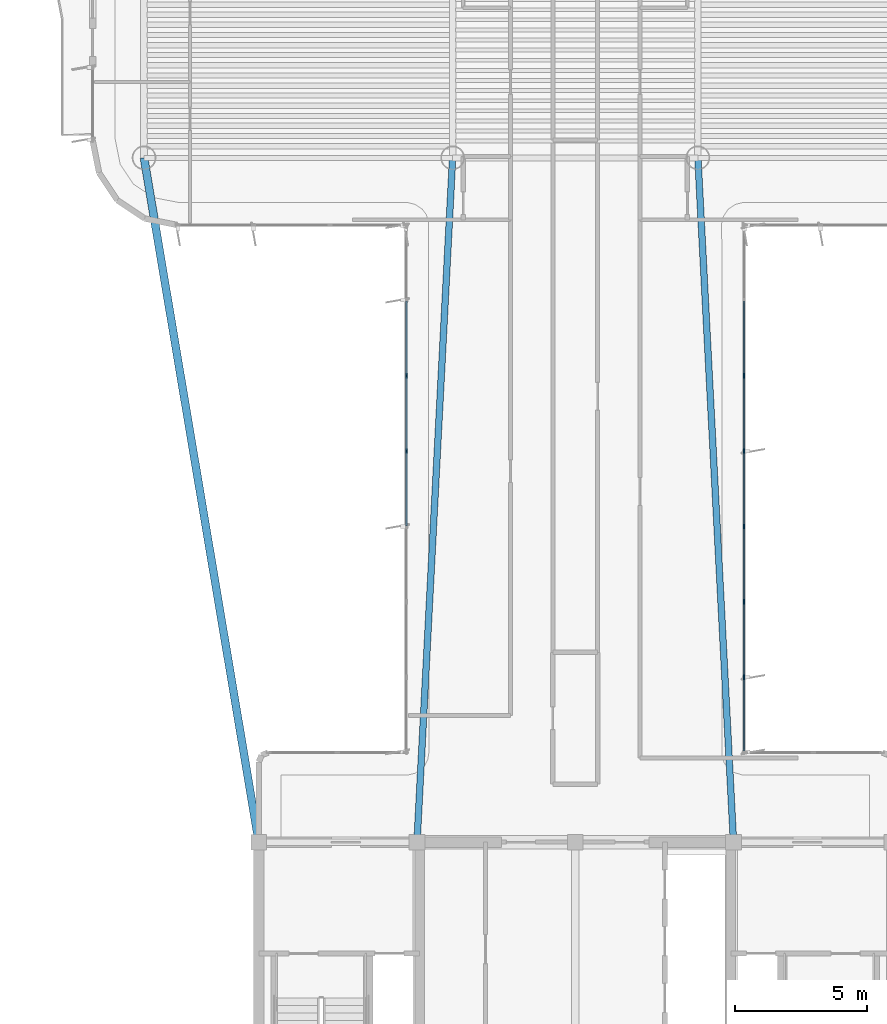
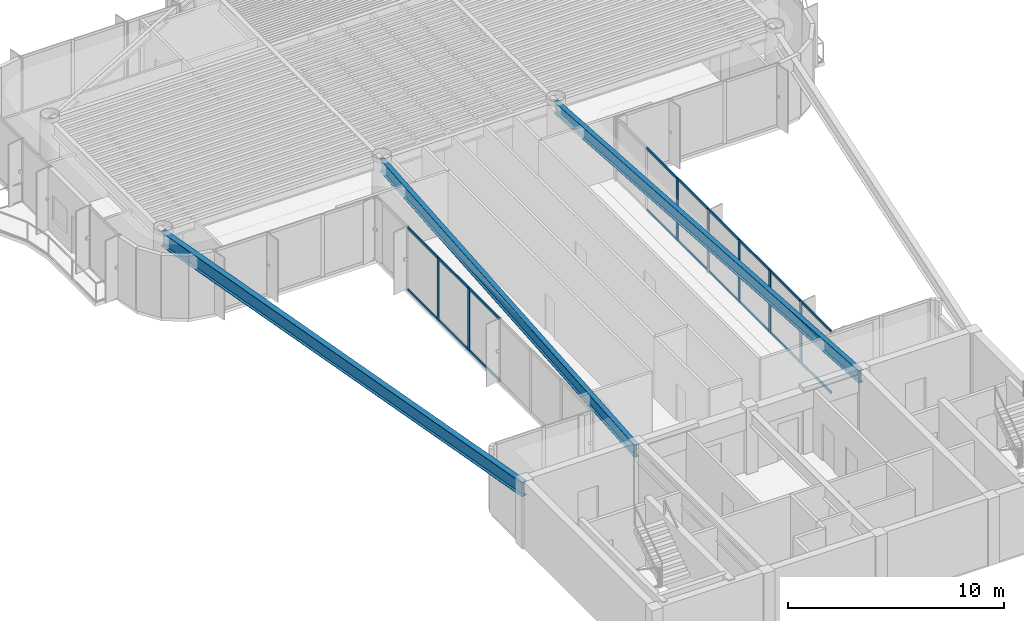
# One storey, part 3 of 15: 25 members, 3 beams, 2 elements without a shape of their own.
"""IFC4 building model written with IfcOpenShell, lengths in metres."""

from ifc_helpers import new_model, si_unit, direction, frame, origin, origin_2d, place, context, subcontext, project, spatial, rectangle, i_section, extrude, source, transform, mapped, material, layer, layer_set, material_profile, profile_set, type_object, element, aggregate, save


model = new_model("IFC4")

# Units and contexts
model_context = context("Model", 3, precision=1e-05, world=origin(), true_north=direction((0.0, 1.0)))
body_context = subcontext(model_context, "Body", "Model", "MODEL_VIEW")
ifc_project = project(units=[si_unit("LENGTHUNIT", "METRE"), si_unit("AREAUNIT", "SQUARE_METRE"), si_unit("VOLUMEUNIT", "CUBIC_METRE"), si_unit("PLANEANGLEUNIT", "RADIAN"), si_unit("MASSUNIT", "GRAM", prefix="KILO")], contexts=[model_context])

# Site, building, storey
site_placement = place(None, origin())
site = spatial("IfcSite", under=ifc_project, at=site_placement, CompositionType="ELEMENT")
building_placement = place(site_placement, origin())
building = spatial("IfcBuilding", under=site, at=building_placement, Name="Brelvock Crest Care Tower", CompositionType="ELEMENT")
storey_placement = place(building_placement, frame((0.0, 0.0, 275.93994140625)))
storey = spatial("IfcBuildingStorey", under=building, at=storey_placement, Name="L70", CompositionType="ELEMENT", Elevation=275.93994140625)

# Beams
ifc_material_1 = material(Name="Steel Grade 350", Category="steel")
ifc_material_profile_1 = material_profile(ifc_material_1, i_section(OverallWidth=0.25, OverallDepth=0.699951171875, WebThickness=0.011962890625, FlangeThickness=0.02001953125, at=origin_2d()), Name="700WB150")
ifc_profile_set_1 = profile_set([ifc_material_profile_1], Name="Steel Grade 350")
beam_type_1 = type_object("IfcBeamType", Name="BM-G4", PredefinedType="BEAM", material=ifc_profile_set_1)
shared_shape_1 = source(origin(), body_context, "Body", "SweptSolid", [
    extrude(i_section(OverallWidth=0.25, OverallDepth=0.699951171875, WebThickness=0.011962890625, FlangeThickness=0.02001953125, at=origin_2d()), origin(), (0.0, 0.0, 1.0), 25.985107421875),
])
for number, where, z_axis, x_axis, name in (
    (1, (30.0, 18.0, 3.18017578125), (0.051956711656, 0.998649337913, 0.0), (-0.998649337913, 0.051956711656, 0.0), "BM-THRW-L70"),
    (2, (42.0, 18.0, 3.18017578125), (-0.051956711656, 0.998649337913, 0.0), (-0.998649337913, -0.051956711656, 0.0), "BM-THRE-L70"),
):
    element("IfcBeam", number, at=place(storey_placement, frame(where, z_axis=z_axis, x_axis=x_axis)), inside=storey, type_object=beam_type_1, Name=name, PredefinedType="BEAM", context=body_context, shape_type="MappedRepresentation", body=[
        mapped(shared_shape_1, transform((0.0, 0.0, 0.0), x_axis=(1.0, 0.0, 0.0), y_axis=(0.0, 1.0, 0.0), z_axis=(0.0, 0.0, 1.0), scale=1.0)),
    ])
ifc_material_profile_2 = material_profile(ifc_material_1, i_section(OverallWidth=0.300048828125, OverallDepth=0.800048828125, WebThickness=0.013916015625, FlangeThickness=0.02197265625, at=origin_2d()), Name="800WB192")
ifc_profile_set_2 = profile_set([ifc_material_profile_2], Name="Steel Grade 350")
beam_type_2 = type_object("IfcBeamType", Name="BM-G5", PredefinedType="BEAM", material=ifc_profile_set_2)
shared_shape_2 = source(origin(), body_context, "Body", "SweptSolid", [
    extrude(i_section(OverallWidth=0.300048828125, OverallDepth=0.800048828125, WebThickness=0.013916015625, FlangeThickness=0.02197265625, at=origin_2d()), origin(), (0.0, 0.0, 1.0), 26.31201171875),
])
beam_placement = place(storey_placement, frame((24.0, 18.0, 3.130126953125), z_axis=(-0.165327282709, 0.986238758918, 0.0), x_axis=(-0.986238758918, -0.165327282709, 0.0)))
element("IfcBeam", 3, at=beam_placement, inside=storey, type_object=beam_type_2, Name="BM-THRO-W-L70", PredefinedType="BEAM", context=body_context, shape_type="MappedRepresentation", body=[
    mapped(shared_shape_2, transform((0.0, 0.0, 0.0), x_axis=(1.0, 0.0, 0.0), y_axis=(0.0, 1.0, 0.0), z_axis=(0.0, 0.0, 1.0), scale=1.0)),
])

# Curtain wall, members
ifc_material_2 = material(Name="Dark Glass Double Glazed Low-E", Category="glass")
ifc_layer = layer(ifc_material_2, 0.239990234375, Name="CWS-5")
ifc_layer_set = layer_set([ifc_layer], Name="Dark Glass Double Glazed Low-E")
curtain_wall_type = type_object("IfcCurtainWallType", Name="CWS-5", PredefinedType="NOTDEFINED", material=ifc_layer_set)
curtain_wall_1_placement = place(storey_placement, origin())
curtain_wall_1 = element("IfcCurtainWall", 4, at=curtain_wall_1_placement, inside=storey, type_object=curtain_wall_type, Name="L70 Curtain Wall E11", PredefinedType="NOTDEFINED")
ifc_material_3 = material(Name="Aluminium 6063-T6", Category="aluminium")
ifc_material_profile_3 = material_profile(ifc_material_3, rectangle(XDim=0.06005859375, YDim=0.179931640625, at=origin_2d()), Name="ALU60x180")
ifc_profile_set_3 = profile_set([ifc_material_profile_3], Name="Aluminium 6063-T6")
member_type_1 = type_object("IfcMemberType", Name="CWM-2", PredefinedType="MULLION", material=ifc_profile_set_3)
shared_shape_3 = source(origin(), body_context, "Body", "SweptSolid", [
    extrude(rectangle(XDim=0.06005859375, YDim=0.179931640625, at=origin_2d()), origin(), (0.0, 0.0, 1.0), 3.530029296875),
])
member_1_placement = place(storey_placement, frame((29.60009765625, 32.82861328125, 0.0), z_axis=(0.0, 0.0, 1.0), x_axis=(-1.0, 0.0, 0.0)))
member_1 = element("IfcMember", 5, at=member_1_placement, type_object=member_type_1, Name="CW-5 mullion 5", PredefinedType="MULLION", context=body_context, shape_type="MappedRepresentation", body=[
    mapped(shared_shape_3, transform((0.0, 0.0, 0.0), x_axis=(1.0, 0.0, 0.0), y_axis=(0.0, 1.0, 0.0), z_axis=(0.0, 0.0, 1.0), scale=1.0)),
])
member_2_placement = place(storey_placement, frame((29.60009765625, 35.685791015625, 0.0), z_axis=(0.0, 0.0, 1.0), x_axis=(-1.0, 0.0, 0.0)))
member_2 = element("IfcMember", 6, at=member_2_placement, type_object=member_type_1, Name="CW-5 mullion 6", PredefinedType="MULLION", context=body_context, shape_type="MappedRepresentation", body=[
    mapped(shared_shape_3, transform((0.0, 0.0, 0.0), x_axis=(1.0, 0.0, 0.0), y_axis=(0.0, 1.0, 0.0), z_axis=(0.0, 0.0, 1.0), scale=1.0)),
])

curtain_wall_2_placement = place(storey_placement, origin())
curtain_wall_2 = element("IfcCurtainWall", 7, at=curtain_wall_2_placement, inside=storey, type_object=curtain_wall_type, Name="L70 Curtain Wall E45", PredefinedType="NOTDEFINED")
member_3_placement = place(storey_placement, frame((42.39990234375, 35.685791015625, 0.0), z_axis=(0.0, 0.0, 1.0), x_axis=(1.0, 0.0, 0.0)))
member_3 = element("IfcMember", 8, at=member_3_placement, type_object=member_type_1, Name="CW-5 mullion 3", PredefinedType="MULLION", context=body_context, shape_type="MappedRepresentation", body=[
    mapped(shared_shape_3, transform((0.0, 0.0, 0.0), x_axis=(1.0, 0.0, 0.0), y_axis=(0.0, 1.0, 0.0), z_axis=(0.0, 0.0, 1.0), scale=1.0)),
])
member_4_placement = place(storey_placement, frame((42.39990234375, 32.82861328125, 0.0), z_axis=(0.0, 0.0, 1.0), x_axis=(1.0, 0.0, 0.0)))
member_4 = element("IfcMember", 9, at=member_4_placement, type_object=member_type_1, Name="CW-5 mullion 4", PredefinedType="MULLION", context=body_context, shape_type="MappedRepresentation", body=[
    mapped(shared_shape_3, transform((0.0, 0.0, 0.0), x_axis=(1.0, 0.0, 0.0), y_axis=(0.0, 1.0, 0.0), z_axis=(0.0, 0.0, 1.0), scale=1.0)),
])
member_5_placement = place(storey_placement, frame((42.39990234375, 29.971435546875, 0.0), z_axis=(0.0, 0.0, 1.0), x_axis=(1.0, 0.0, 0.0)))
member_5 = element("IfcMember", 10, at=member_5_placement, type_object=member_type_1, Name="CW-5 mullion 5", PredefinedType="MULLION", context=body_context, shape_type="MappedRepresentation", body=[
    mapped(shared_shape_3, transform((0.0, 0.0, 0.0), x_axis=(1.0, 0.0, 0.0), y_axis=(0.0, 1.0, 0.0), z_axis=(0.0, 0.0, 1.0), scale=1.0)),
])
member_6_placement = place(storey_placement, frame((42.39990234375, 27.1142578125, 0.0), z_axis=(0.0, 0.0, 1.0), x_axis=(1.0, 0.0, 0.0)))
member_6 = element("IfcMember", 11, at=member_6_placement, type_object=member_type_1, Name="CW-5 mullion 6", PredefinedType="MULLION", context=body_context, shape_type="MappedRepresentation", body=[
    mapped(shared_shape_3, transform((0.0, 0.0, 0.0), x_axis=(1.0, 0.0, 0.0), y_axis=(0.0, 1.0, 0.0), z_axis=(0.0, 0.0, 1.0), scale=1.0)),
])
member_7_placement = place(storey_placement, frame((42.39990234375, 24.257080078125, 0.0), z_axis=(0.0, 0.0, 1.0), x_axis=(1.0, 0.0, 0.0)))
member_7 = element("IfcMember", 12, at=member_7_placement, type_object=member_type_1, Name="CW-5 mullion 7", PredefinedType="MULLION", context=body_context, shape_type="MappedRepresentation", body=[
    mapped(shared_shape_3, transform((0.0, 0.0, 0.0), x_axis=(1.0, 0.0, 0.0), y_axis=(0.0, 1.0, 0.0), z_axis=(0.0, 0.0, 1.0), scale=1.0)),
])
ifc_material_profile_4 = material_profile(ifc_material_3, rectangle(XDim=0.06005859375, YDim=0.139892578125, at=origin_2d()), Name="ALU60x140")
ifc_profile_set_4 = profile_set([ifc_material_profile_4], Name="Aluminium 6063-T6")
member_type_2 = type_object("IfcMemberType", Name="CWT-2", PredefinedType="USERDEFINED", material=ifc_profile_set_4)
shared_shape_4 = source(origin(), body_context, "Body", "SweptSolid", [
    extrude(rectangle(XDim=0.06005859375, YDim=0.139892578125, at=origin_2d()), origin(), (0.0, 0.0, 1.0), 2.76708984375),
])
member_8_placement = place(storey_placement, frame((42.39990234375, 24.22705078125, 0.030029296875), z_axis=(0.0, -1.0, 0.0), x_axis=(1.0, 0.0, 0.0)))
member_8 = element("IfcMember", 13, at=member_8_placement, type_object=member_type_2, Name="CW-5 transom 7.1", ObjectType="TRANSOM", PredefinedType="USERDEFINED", context=body_context, shape_type="MappedRepresentation", body=[
    mapped(shared_shape_4, transform((0.0, 0.0, 0.0), x_axis=(1.0, 0.0, 0.0), y_axis=(0.0, 1.0, 0.0), z_axis=(0.0, 0.0, 1.0), scale=1.0)),
])
member_9_placement = place(storey_placement, frame((42.39990234375, 24.22705078125, 3.5), z_axis=(0.0, -1.0, 0.0), x_axis=(1.0, 0.0, 0.0)))
member_9 = element("IfcMember", 14, at=member_9_placement, type_object=member_type_2, Name="CW-5 transom 7.2", ObjectType="TRANSOM", PredefinedType="USERDEFINED", context=body_context, shape_type="MappedRepresentation", body=[
    mapped(shared_shape_4, transform((0.0, 0.0, 0.0), x_axis=(1.0, 0.0, 0.0), y_axis=(0.0, 1.0, 0.0), z_axis=(0.0, 0.0, 1.0), scale=1.0)),
])

# Member
shared_shape_5 = source(origin(), body_context, "Body", "SweptSolid", [
    extrude(rectangle(XDim=0.06005859375, YDim=0.139892578125, at=origin_2d()), origin(), (0.0, 0.0, 1.0), 2.797119140625),
])
member_10_placement = place(storey_placement, frame((29.60009765625, 30.00146484375, 0.030029296875), z_axis=(0.0, 1.0, 0.0), x_axis=(-1.0, 0.0, 0.0)))
member_10 = element("IfcMember", 15, at=member_10_placement, type_object=member_type_2, Name="CW-5 transom 4.1", ObjectType="TRANSOM", PredefinedType="USERDEFINED", context=body_context, shape_type="MappedRepresentation", body=[
    mapped(shared_shape_5, transform((0.0, 0.0, 0.0), x_axis=(1.0, 0.0, 0.0), y_axis=(0.0, 1.0, 0.0), z_axis=(0.0, 0.0, 1.0), scale=1.0)),
])

member_11_placement = place(storey_placement, frame((29.60009765625, 30.00146484375, 3.5), z_axis=(0.0, 1.0, 0.0), x_axis=(-1.0, 0.0, 0.0)))
member_11 = element("IfcMember", 16, at=member_11_placement, type_object=member_type_2, Name="CW-5 transom 4.2", ObjectType="TRANSOM", PredefinedType="USERDEFINED", context=body_context, shape_type="MappedRepresentation", body=[
    mapped(shared_shape_5, transform((0.0, 0.0, 0.0), x_axis=(1.0, 0.0, 0.0), y_axis=(0.0, 1.0, 0.0), z_axis=(0.0, 0.0, 1.0), scale=1.0)),
])

member_12_placement = place(storey_placement, frame((29.60009765625, 32.858642578125, 0.030029296875), z_axis=(0.0, 1.0, 0.0), x_axis=(-1.0, 0.0, 0.0)))
member_12 = element("IfcMember", 17, at=member_12_placement, type_object=member_type_2, Name="CW-5 transom 5.1", ObjectType="TRANSOM", PredefinedType="USERDEFINED", context=body_context, shape_type="MappedRepresentation", body=[
    mapped(shared_shape_5, transform((0.0, 0.0, 0.0), x_axis=(1.0, 0.0, 0.0), y_axis=(0.0, 1.0, 0.0), z_axis=(0.0, 0.0, 1.0), scale=1.0)),
])

member_13_placement = place(storey_placement, frame((29.60009765625, 32.858642578125, 3.5), z_axis=(0.0, 1.0, 0.0), x_axis=(-1.0, 0.0, 0.0)))
member_13 = element("IfcMember", 18, at=member_13_placement, type_object=member_type_2, Name="CW-5 transom 5.2", ObjectType="TRANSOM", PredefinedType="USERDEFINED", context=body_context, shape_type="MappedRepresentation", body=[
    mapped(shared_shape_5, transform((0.0, 0.0, 0.0), x_axis=(1.0, 0.0, 0.0), y_axis=(0.0, 1.0, 0.0), z_axis=(0.0, 0.0, 1.0), scale=1.0)),
])

member_14_placement = place(storey_placement, frame((29.60009765625, 35.7158203125, 0.030029296875), z_axis=(0.0, 1.0, 0.0), x_axis=(-1.0, 0.0, 0.0)))
member_14 = element("IfcMember", 19, at=member_14_placement, type_object=member_type_2, Name="CW-5 transom 6.1", ObjectType="TRANSOM", PredefinedType="USERDEFINED", context=body_context, shape_type="MappedRepresentation", body=[
    mapped(shared_shape_5, transform((0.0, 0.0, 0.0), x_axis=(1.0, 0.0, 0.0), y_axis=(0.0, 1.0, 0.0), z_axis=(0.0, 0.0, 1.0), scale=1.0)),
])

member_15_placement = place(storey_placement, frame((29.60009765625, 35.7158203125, 3.5), z_axis=(0.0, 1.0, 0.0), x_axis=(-1.0, 0.0, 0.0)))
member_15 = element("IfcMember", 20, at=member_15_placement, type_object=member_type_2, Name="CW-5 transom 6.2", ObjectType="TRANSOM", PredefinedType="USERDEFINED", context=body_context, shape_type="MappedRepresentation", body=[
    mapped(shared_shape_5, transform((0.0, 0.0, 0.0), x_axis=(1.0, 0.0, 0.0), y_axis=(0.0, 1.0, 0.0), z_axis=(0.0, 0.0, 1.0), scale=1.0)),
])

aggregate(curtain_wall_1, [member_1, member_2, member_10, member_11, member_12, member_13, member_14, member_15])

member_16_placement = place(storey_placement, frame((42.39990234375, 38.512939453125, 0.030029296875), z_axis=(0.0, -1.0, 0.0), x_axis=(1.0, 0.0, 0.0)))
member_16 = element("IfcMember", 21, at=member_16_placement, type_object=member_type_2, Name="CW-5 transom 2.1", ObjectType="TRANSOM", PredefinedType="USERDEFINED", context=body_context, shape_type="MappedRepresentation", body=[
    mapped(shared_shape_5, transform((0.0, 0.0, 0.0), x_axis=(1.0, 0.0, 0.0), y_axis=(0.0, 1.0, 0.0), z_axis=(0.0, 0.0, 1.0), scale=1.0)),
])

member_17_placement = place(storey_placement, frame((42.39990234375, 38.512939453125, 3.5), z_axis=(0.0, -1.0, 0.0), x_axis=(1.0, 0.0, 0.0)))
member_17 = element("IfcMember", 22, at=member_17_placement, type_object=member_type_2, Name="CW-5 transom 2.2", ObjectType="TRANSOM", PredefinedType="USERDEFINED", context=body_context, shape_type="MappedRepresentation", body=[
    mapped(shared_shape_5, transform((0.0, 0.0, 0.0), x_axis=(1.0, 0.0, 0.0), y_axis=(0.0, 1.0, 0.0), z_axis=(0.0, 0.0, 1.0), scale=1.0)),
])

member_18_placement = place(storey_placement, frame((42.39990234375, 35.65576171875, 0.030029296875), z_axis=(0.0, -1.0, 0.0), x_axis=(1.0, 0.0, 0.0)))
member_18 = element("IfcMember", 23, at=member_18_placement, type_object=member_type_2, Name="CW-5 transom 3.1", ObjectType="TRANSOM", PredefinedType="USERDEFINED", context=body_context, shape_type="MappedRepresentation", body=[
    mapped(shared_shape_5, transform((0.0, 0.0, 0.0), x_axis=(1.0, 0.0, 0.0), y_axis=(0.0, 1.0, 0.0), z_axis=(0.0, 0.0, 1.0), scale=1.0)),
])

member_19_placement = place(storey_placement, frame((42.39990234375, 35.65576171875, 3.5), z_axis=(0.0, -1.0, 0.0), x_axis=(1.0, 0.0, 0.0)))
member_19 = element("IfcMember", 24, at=member_19_placement, type_object=member_type_2, Name="CW-5 transom 3.2", ObjectType="TRANSOM", PredefinedType="USERDEFINED", context=body_context, shape_type="MappedRepresentation", body=[
    mapped(shared_shape_5, transform((0.0, 0.0, 0.0), x_axis=(1.0, 0.0, 0.0), y_axis=(0.0, 1.0, 0.0), z_axis=(0.0, 0.0, 1.0), scale=1.0)),
])

member_20_placement = place(storey_placement, frame((42.39990234375, 32.798583984375, 0.030029296875), z_axis=(0.0, -1.0, 0.0), x_axis=(1.0, 0.0, 0.0)))
member_20 = element("IfcMember", 25, at=member_20_placement, type_object=member_type_2, Name="CW-5 transom 4.1", ObjectType="TRANSOM", PredefinedType="USERDEFINED", context=body_context, shape_type="MappedRepresentation", body=[
    mapped(shared_shape_5, transform((0.0, 0.0, 0.0), x_axis=(1.0, 0.0, 0.0), y_axis=(0.0, 1.0, 0.0), z_axis=(0.0, 0.0, 1.0), scale=1.0)),
])

member_21_placement = place(storey_placement, frame((42.39990234375, 32.798583984375, 3.5), z_axis=(0.0, -1.0, 0.0), x_axis=(1.0, 0.0, 0.0)))
member_21 = element("IfcMember", 26, at=member_21_placement, type_object=member_type_2, Name="CW-5 transom 4.2", ObjectType="TRANSOM", PredefinedType="USERDEFINED", context=body_context, shape_type="MappedRepresentation", body=[
    mapped(shared_shape_5, transform((0.0, 0.0, 0.0), x_axis=(1.0, 0.0, 0.0), y_axis=(0.0, 1.0, 0.0), z_axis=(0.0, 0.0, 1.0), scale=1.0)),
])

member_22_placement = place(storey_placement, frame((42.39990234375, 29.94140625, 0.030029296875), z_axis=(0.0, -1.0, 0.0), x_axis=(1.0, 0.0, 0.0)))
member_22 = element("IfcMember", 27, at=member_22_placement, type_object=member_type_2, Name="CW-5 transom 5.1", ObjectType="TRANSOM", PredefinedType="USERDEFINED", context=body_context, shape_type="MappedRepresentation", body=[
    mapped(shared_shape_5, transform((0.0, 0.0, 0.0), x_axis=(1.0, 0.0, 0.0), y_axis=(0.0, 1.0, 0.0), z_axis=(0.0, 0.0, 1.0), scale=1.0)),
])

member_23_placement = place(storey_placement, frame((42.39990234375, 29.94140625, 3.5), z_axis=(0.0, -1.0, 0.0), x_axis=(1.0, 0.0, 0.0)))
member_23 = element("IfcMember", 28, at=member_23_placement, type_object=member_type_2, Name="CW-5 transom 5.2", ObjectType="TRANSOM", PredefinedType="USERDEFINED", context=body_context, shape_type="MappedRepresentation", body=[
    mapped(shared_shape_5, transform((0.0, 0.0, 0.0), x_axis=(1.0, 0.0, 0.0), y_axis=(0.0, 1.0, 0.0), z_axis=(0.0, 0.0, 1.0), scale=1.0)),
])

member_24_placement = place(storey_placement, frame((42.39990234375, 27.084228515625, 0.030029296875), z_axis=(0.0, -1.0, 0.0), x_axis=(1.0, 0.0, 0.0)))
member_24 = element("IfcMember", 29, at=member_24_placement, type_object=member_type_2, Name="CW-5 transom 6.1", ObjectType="TRANSOM", PredefinedType="USERDEFINED", context=body_context, shape_type="MappedRepresentation", body=[
    mapped(shared_shape_5, transform((0.0, 0.0, 0.0), x_axis=(1.0, 0.0, 0.0), y_axis=(0.0, 1.0, 0.0), z_axis=(0.0, 0.0, 1.0), scale=1.0)),
])

member_25_placement = place(storey_placement, frame((42.39990234375, 27.084228515625, 3.5), z_axis=(0.0, -1.0, 0.0), x_axis=(1.0, 0.0, 0.0)))
member_25 = element("IfcMember", 30, at=member_25_placement, type_object=member_type_2, Name="CW-5 transom 6.2", ObjectType="TRANSOM", PredefinedType="USERDEFINED", context=body_context, shape_type="MappedRepresentation", body=[
    mapped(shared_shape_5, transform((0.0, 0.0, 0.0), x_axis=(1.0, 0.0, 0.0), y_axis=(0.0, 1.0, 0.0), z_axis=(0.0, 0.0, 1.0), scale=1.0)),
])

aggregate(curtain_wall_2, [member_3, member_4, member_5, member_6, member_7, member_16, member_17, member_18, member_19, member_20, member_21, member_22, member_23, member_24, member_25, member_8, member_9])

save(model, "model.ifc")
